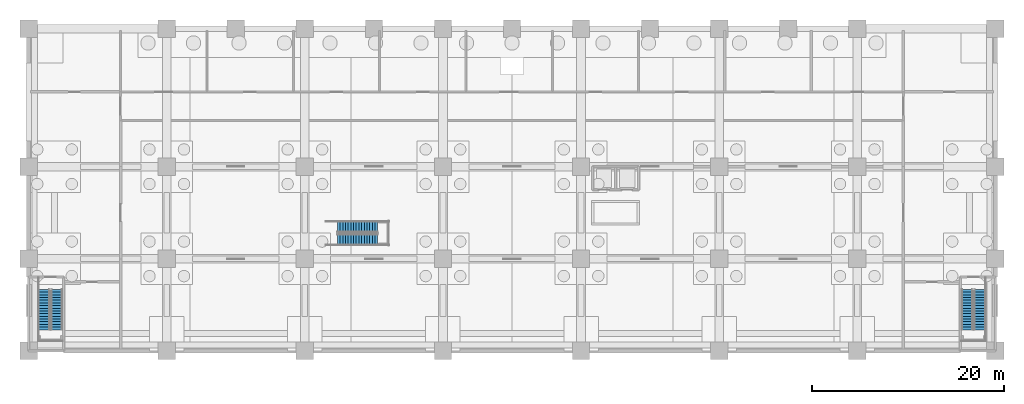
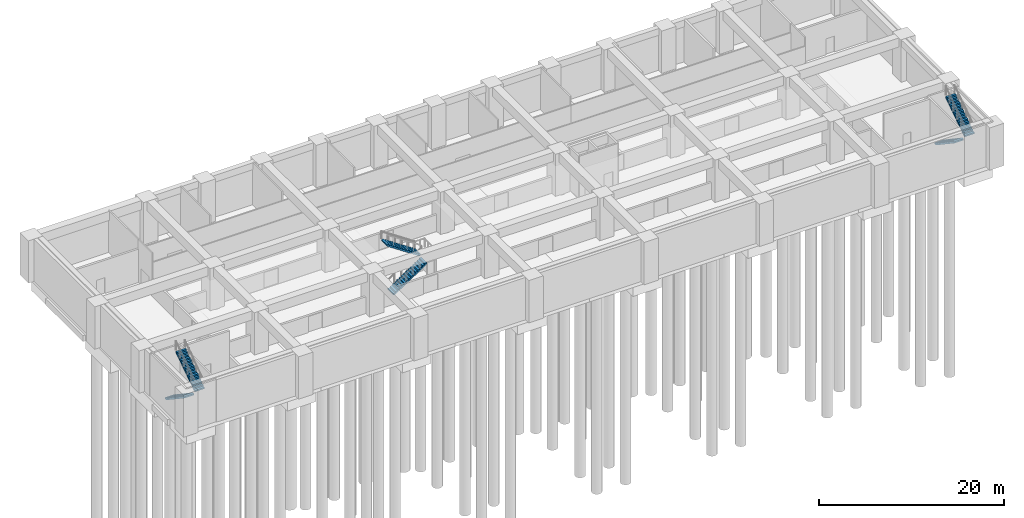
# One storey, part 8 of 13: 6 stair flights, 3 elements without a shape of their own.
"""IFC4 building model written with IfcOpenShell, lengths in metres."""

from ifc_helpers import new_model, si_unit, direction, frame, origin, place, context, subcontext, project, spatial, polyline, outline, extrude, material, type_object, element, aggregate, save


model = new_model("IFC4")

# Units and contexts
model_context = context("Model", 3, precision=1e-05, world=origin(), true_north=direction((0.0, 1.0)))
body_context = subcontext(model_context, "Body", "Model", "MODEL_VIEW")
ifc_project = project(units=[si_unit("LENGTHUNIT", "METRE"), si_unit("AREAUNIT", "SQUARE_METRE"), si_unit("VOLUMEUNIT", "CUBIC_METRE"), si_unit("PLANEANGLEUNIT", "RADIAN"), si_unit("MASSUNIT", "GRAM", prefix="KILO")], contexts=[model_context])

# Site, building, storey
site_placement = place(None, origin())
site = spatial("IfcSite", under=ifc_project, at=site_placement, CompositionType="ELEMENT")
building_placement = place(site_placement, origin())
building = spatial("IfcBuilding", under=site, at=building_placement, Name="Saffron Iwan Residences", CompositionType="ELEMENT")
storey_placement = place(building_placement, frame((0.0, 0.0, -11.39990234375)))
storey = spatial("IfcBuildingStorey", under=building, at=storey_placement, Name="B2", CompositionType="ELEMENT", Elevation=-11.39990234375)

# Stair, stair flights
ifc_material = material(Name="Concrete C40/50", Category="concrete")
stair_type = type_object("IfcStairType", Name="Podium stair, reinforced concrete", PredefinedType="HALF_TURN_STAIR", material=ifc_material)
stair_1_placement = place(storey_placement, origin())
stair_1 = element("IfcStair", 1, at=stair_1_placement, inside=storey, type_object=stair_type, Name="B2 Station Escape Stair 1", PredefinedType="HALF_TURN_STAIR")
stair_flight_type = type_object("IfcStairFlightType", Name="Podium stair flight, reinforced concrete", PredefinedType="STRAIGHT", material=ifc_material)
stair_flight_1_placement = place(storey_placement, frame((1.60009765625, 6.39990234375, 0.0), z_axis=(0.0, 0.0, 1.0), x_axis=(0.0, -1.0, 0.0)))
stair_flight_1 = element("IfcStairFlight", 2, at=stair_flight_1_placement, type_object=stair_flight_type, Name="SE1 flight 1", NumberOfRisers=16, NumberOfTreads=15, PredefinedType="STRAIGHT", RiserHeight=0.1875, TreadLength=0.28, context=body_context, shape_type="SweptSolid", body=[
    extrude(outline(polyline([(0.0, 0.0), (0.0, 0.1875), (0.280029296875, 0.1875), (0.280029296875, 0.375), (0.56005859375, 0.375), (0.56005859375, 0.5625), (0.840087890625, 0.5625), (0.840087890625, 0.75), (1.1201171875, 0.75), (1.1201171875, 0.9375), (1.39990234375, 0.9375), (1.39990234375, 1.125), (1.679931640625, 1.125), (1.679931640625, 1.3125), (1.9599609375, 1.3125), (1.9599609375, 1.5), (2.239990234375, 1.5), (2.239990234375, 1.6875), (2.52001953125, 1.6875), (2.52001953125, 1.875), (2.800048828125, 1.875), (2.800048828125, 2.0625), (3.080078125, 2.0625), (3.080078125, 2.25), (3.360107421875, 2.25), (3.360107421875, 2.4375), (3.639892578125, 2.4375), (3.639892578125, 2.625), (3.919921875, 2.625), (3.919921875, 2.8125), (4.199951171875, 2.8125), (4.199951171875, 3.0), (4.199951171875, 2.632080078125), (0.26953125, 0.0), (0.0, 0.0)])), frame((0.0, 0.60009765625, 0.0), z_axis=(0.0, -1.0, 0.0), x_axis=(1.0, 0.0, 0.0)), (0.0, 0.0, 1.0), 1.199951171875),
])
stair_flight_2_placement = place(storey_placement, frame((2.949951171875, 2.199951171875, 3.0), z_axis=(0.0, 0.0, 1.0), x_axis=(0.0, 1.0, 0.0)))
stair_flight_2 = element("IfcStairFlight", 3, at=stair_flight_2_placement, type_object=stair_flight_type, Name="SE1 flight 2", NumberOfRisers=16, NumberOfTreads=15, PredefinedType="STRAIGHT", RiserHeight=0.1875, TreadLength=0.28, context=body_context, shape_type="SweptSolid", body=[
    extrude(outline(polyline([(0.0, 0.0), (0.0, 0.1875), (0.280029296875, 0.1875), (0.280029296875, 0.375), (0.56005859375, 0.375), (0.56005859375, 0.5625), (0.840087890625, 0.5625), (0.840087890625, 0.75), (1.1201171875, 0.75), (1.1201171875, 0.9375), (1.39990234375, 0.9375), (1.39990234375, 1.125), (1.679931640625, 1.125), (1.679931640625, 1.3125), (1.9599609375, 1.3125), (1.9599609375, 1.5), (2.239990234375, 1.5), (2.239990234375, 1.6875), (2.52001953125, 1.6875), (2.52001953125, 1.875), (2.800048828125, 1.875), (2.800048828125, 2.0625), (3.080078125, 2.0625), (3.080078125, 2.25), (3.360107421875, 2.25), (3.360107421875, 2.4375), (3.639892578125, 2.4375), (3.639892578125, 2.625), (3.919921875, 2.625), (3.919921875, 2.8125), (4.199951171875, 2.8125), (4.199951171875, 3.0), (4.199951171875, 2.632080078125), (0.26953125, 0.0), (0.0, 0.0)])), frame((0.0, 0.60009765625, 0.0), z_axis=(0.0, -1.0, 0.0), x_axis=(1.0, 0.0, 0.0)), (0.0, 0.0, 1.0), 1.199951171875),
])
aggregate(stair_1, [stair_flight_1, stair_flight_2])

stair_2_placement = place(storey_placement, origin())
stair_2 = element("IfcStair", 4, at=stair_2_placement, inside=storey, type_object=stair_type, Name="B2 Station Escape Stair 2", PredefinedType="HALF_TURN_STAIR")
stair_flight_3_placement = place(storey_placement, frame((97.85009765625, 6.39990234375, 0.0), z_axis=(0.0, 0.0, 1.0), x_axis=(0.0, -1.0, 0.0)))
stair_flight_3 = element("IfcStairFlight", 5, at=stair_flight_3_placement, type_object=stair_flight_type, Name="SE2 flight 1", NumberOfRisers=16, NumberOfTreads=15, PredefinedType="STRAIGHT", RiserHeight=0.1875, TreadLength=0.28, context=body_context, shape_type="SweptSolid", body=[
    extrude(outline(polyline([(0.0, 0.0), (0.0, 0.1875), (0.280029296875, 0.1875), (0.280029296875, 0.375), (0.56005859375, 0.375), (0.56005859375, 0.5625), (0.840087890625, 0.5625), (0.840087890625, 0.75), (1.1201171875, 0.75), (1.1201171875, 0.9375), (1.39990234375, 0.9375), (1.39990234375, 1.125), (1.679931640625, 1.125), (1.679931640625, 1.3125), (1.9599609375, 1.3125), (1.9599609375, 1.5), (2.239990234375, 1.5), (2.239990234375, 1.6875), (2.52001953125, 1.6875), (2.52001953125, 1.875), (2.800048828125, 1.875), (2.800048828125, 2.0625), (3.080078125, 2.0625), (3.080078125, 2.25), (3.360107421875, 2.25), (3.360107421875, 2.4375), (3.639892578125, 2.4375), (3.639892578125, 2.625), (3.919921875, 2.625), (3.919921875, 2.8125), (4.199951171875, 2.8125), (4.199951171875, 3.0), (4.199951171875, 2.632080078125), (0.26953125, 0.0), (0.0, 0.0)])), frame((0.0, 0.60009765625, 0.0), z_axis=(0.0, -1.0, 0.0), x_axis=(1.0, 0.0, 0.0)), (0.0, 0.0, 1.0), 1.199951171875),
])
stair_flight_4_placement = place(storey_placement, frame((99.199951171875, 2.199951171875, 3.0), z_axis=(0.0, 0.0, 1.0), x_axis=(0.0, 1.0, 0.0)))
stair_flight_4 = element("IfcStairFlight", 6, at=stair_flight_4_placement, type_object=stair_flight_type, Name="SE2 flight 2", NumberOfRisers=16, NumberOfTreads=15, PredefinedType="STRAIGHT", RiserHeight=0.1875, TreadLength=0.28, context=body_context, shape_type="SweptSolid", body=[
    extrude(outline(polyline([(0.0, 0.0), (0.0, 0.1875), (0.280029296875, 0.1875), (0.280029296875, 0.375), (0.56005859375, 0.375), (0.56005859375, 0.5625), (0.840087890625, 0.5625), (0.840087890625, 0.75), (1.1201171875, 0.75), (1.1201171875, 0.9375), (1.39990234375, 0.9375), (1.39990234375, 1.125), (1.679931640625, 1.125), (1.679931640625, 1.3125), (1.9599609375, 1.3125), (1.9599609375, 1.5), (2.239990234375, 1.5), (2.239990234375, 1.6875), (2.52001953125, 1.6875), (2.52001953125, 1.875), (2.800048828125, 1.875), (2.800048828125, 2.0625), (3.080078125, 2.0625), (3.080078125, 2.25), (3.360107421875, 2.25), (3.360107421875, 2.4375), (3.639892578125, 2.4375), (3.639892578125, 2.625), (3.919921875, 2.625), (3.919921875, 2.8125), (4.199951171875, 2.8125), (4.199951171875, 3.0), (4.199951171875, 2.632080078125), (0.26953125, 0.0), (0.0, 0.0)])), frame((0.0, 0.60009765625, 0.0), z_axis=(0.0, -1.0, 0.0), x_axis=(1.0, 0.0, 0.0)), (0.0, 0.0, 1.0), 1.199951171875),
])
aggregate(stair_2, [stair_flight_3, stair_flight_4])

stair_3_placement = place(storey_placement, origin())
stair_3 = element("IfcStair", 7, at=stair_3_placement, inside=storey, type_object=stair_type, Name="B2 Station Stair 2", PredefinedType="HALF_TURN_STAIR")
stair_flight_5_placement = place(storey_placement, frame((32.199951171875, 11.60009765625, 0.0), z_axis=(0.0, 0.0, 1.0), x_axis=(1.0, 0.0, 0.0)))
stair_flight_5 = element("IfcStairFlight", 8, at=stair_flight_5_placement, type_object=stair_flight_type, Name="SP2 flight 1", NumberOfRisers=16, NumberOfTreads=15, PredefinedType="STRAIGHT", RiserHeight=0.1875, TreadLength=0.28, context=body_context, shape_type="SweptSolid", body=[
    extrude(outline(polyline([(0.0, 0.0), (0.0, 0.1875), (0.280029296875, 0.1875), (0.280029296875, 0.375), (0.56005859375, 0.375), (0.56005859375, 0.5625), (0.840087890625, 0.5625), (0.840087890625, 0.75), (1.1201171875, 0.75), (1.1201171875, 0.9375), (1.39990234375, 0.9375), (1.39990234375, 1.125), (1.679931640625, 1.125), (1.679931640625, 1.3125), (1.9599609375, 1.3125), (1.9599609375, 1.5), (2.239990234375, 1.5), (2.239990234375, 1.6875), (2.52001953125, 1.6875), (2.52001953125, 1.875), (2.800048828125, 1.875), (2.800048828125, 2.0625), (3.080078125, 2.0625), (3.080078125, 2.25), (3.360107421875, 2.25), (3.360107421875, 2.4375), (3.639892578125, 2.4375), (3.639892578125, 2.625), (3.919921875, 2.625), (3.919921875, 2.8125), (4.199951171875, 2.8125), (4.199951171875, 3.0), (4.199951171875, 2.632080078125), (0.26953125, 0.0), (0.0, 0.0)])), frame((0.0, 0.60009765625, 0.0), z_axis=(0.0, -1.0, 0.0), x_axis=(1.0, 0.0, 0.0)), (0.0, 0.0, 1.0), 1.199951171875),
])
stair_flight_6_placement = place(storey_placement, frame((36.39990234375, 12.949951171875, 3.0), z_axis=(0.0, 0.0, 1.0), x_axis=(-1.0, 0.0, 0.0)))
stair_flight_6 = element("IfcStairFlight", 9, at=stair_flight_6_placement, type_object=stair_flight_type, Name="SP2 flight 2", NumberOfRisers=16, NumberOfTreads=15, PredefinedType="STRAIGHT", RiserHeight=0.1875, TreadLength=0.28, context=body_context, shape_type="SweptSolid", body=[
    extrude(outline(polyline([(0.0, 0.0), (0.0, 0.1875), (0.280029296875, 0.1875), (0.280029296875, 0.375), (0.56005859375, 0.375), (0.56005859375, 0.5625), (0.840087890625, 0.5625), (0.840087890625, 0.75), (1.1201171875, 0.75), (1.1201171875, 0.9375), (1.39990234375, 0.9375), (1.39990234375, 1.125), (1.679931640625, 1.125), (1.679931640625, 1.3125), (1.9599609375, 1.3125), (1.9599609375, 1.5), (2.239990234375, 1.5), (2.239990234375, 1.6875), (2.52001953125, 1.6875), (2.52001953125, 1.875), (2.800048828125, 1.875), (2.800048828125, 2.0625), (3.080078125, 2.0625), (3.080078125, 2.25), (3.360107421875, 2.25), (3.360107421875, 2.4375), (3.639892578125, 2.4375), (3.639892578125, 2.625), (3.919921875, 2.625), (3.919921875, 2.8125), (4.199951171875, 2.8125), (4.199951171875, 3.0), (4.199951171875, 2.632080078125), (0.26953125, 0.0), (0.0, 0.0)])), frame((0.0, 0.60009765625, 0.0), z_axis=(0.0, -1.0, 0.0), x_axis=(1.0, 0.0, 0.0)), (0.0, 0.0, 1.0), 1.199951171875),
])
aggregate(stair_3, [stair_flight_5, stair_flight_6])

save(model, "model.ifc")
